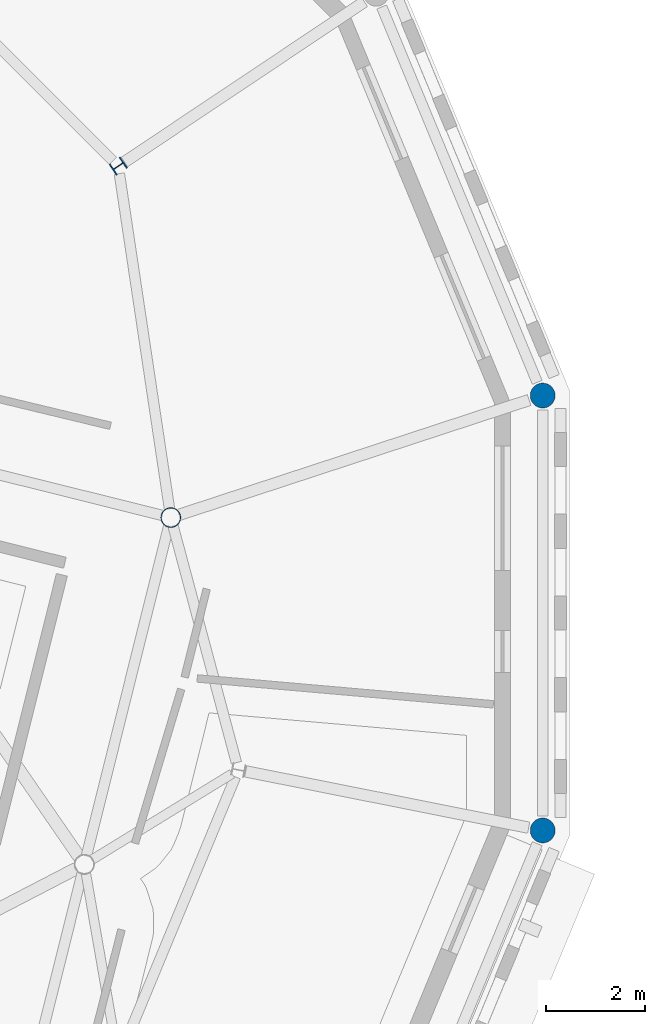
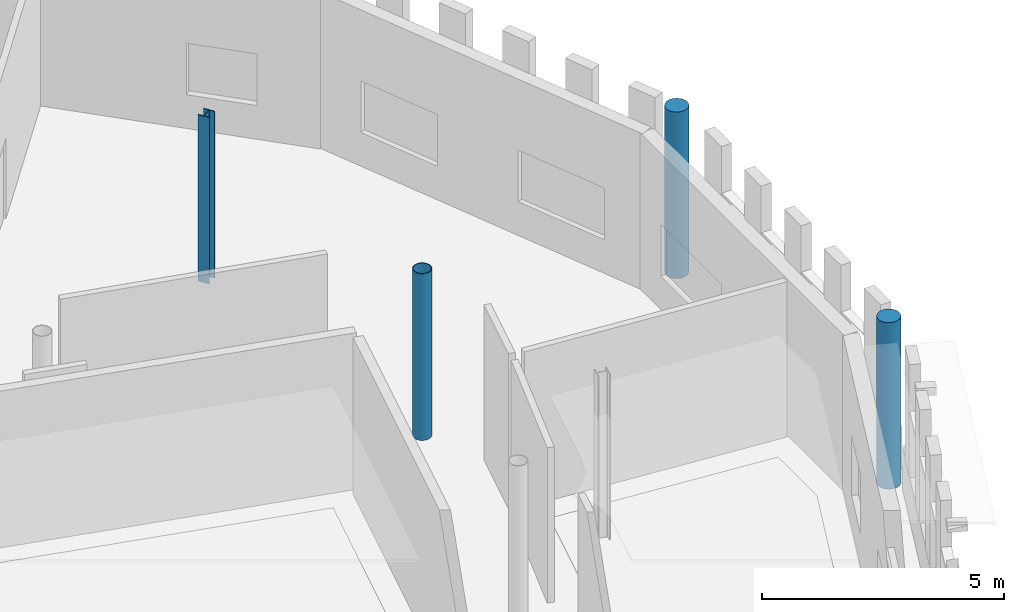
# One storey, part 13 of 90: 4 columns.
"""IFC4 building model written with IfcOpenShell, lengths in metres."""

from ifc_helpers import new_model, si_unit, direction, frame, origin, origin_2d, place, context, subcontext, project, spatial, circle, hollow_circle, i_section, extrude, material, material_profile, profile_set, type_object, element, save


model = new_model("IFC4")

# Units and contexts
model_context = context("Model", 3, precision=1e-05, world=origin(), true_north=direction((0.0, 1.0)))
body_context = subcontext(model_context, "Body", "Model", "MODEL_VIEW")
ifc_project = project(units=[si_unit("LENGTHUNIT", "METRE"), si_unit("AREAUNIT", "SQUARE_METRE"), si_unit("VOLUMEUNIT", "CUBIC_METRE"), si_unit("PLANEANGLEUNIT", "RADIAN"), si_unit("MASSUNIT", "GRAM", prefix="KILO")], contexts=[model_context])

# Site, building, storey
site_placement = place(None, origin())
site = spatial("IfcSite", under=ifc_project, at=site_placement, CompositionType="ELEMENT")
building_placement = place(site_placement, origin())
building = spatial("IfcBuilding", under=site, at=building_placement, Name="Wrenclough Park School", CompositionType="ELEMENT")
storey_placement = place(building_placement, frame((0.0, 0.0, 8.39990234375)))
storey = spatial("IfcBuildingStorey", under=building, at=storey_placement, Name="L02", CompositionType="ELEMENT", Elevation=8.39990234375)

# Columns
ifc_material_1 = material(Name="Structural steel S355", Category="steel")
ifc_material_profile_1 = material_profile(ifc_material_1, hollow_circle(Radius=0.203125, WallThickness=0.01611328125, at=origin_2d()), Name="CHS 406.4x16.0")
ifc_profile_set_1 = profile_set([ifc_material_profile_1], Name="Structural steel S355")
column_type_1 = type_object("IfcColumnType", Name="STR-COL-CHS406", PredefinedType="COLUMN", material=ifc_profile_set_1)
column_1_placement = place(storey_placement, frame((170.028076171875, 28.422607421875, 0.0), z_axis=(0.0, 0.0, 1.0), x_axis=(0.970295726276, -0.2419218956, 0.0)))
element("IfcColumn", 1, at=column_1_placement, inside=storey, type_object=column_type_1, Name="D1 L02 column D1HR-3-2", PredefinedType="COLUMN", context=body_context, shape_type="SweptSolid", body=[
    extrude(hollow_circle(Radius=0.203125, WallThickness=0.01611328125, at=origin_2d()), origin(), (0.0, 0.0, 1.0), 4.2001953125),
])
ifc_material_2 = material(Name="Concrete C40/50", Category="concrete")
ifc_material_profile_2 = material_profile(ifc_material_2, circle(Radius=0.25, at=origin_2d()), Name="RC COL D500")
ifc_profile_set_2 = profile_set([ifc_material_profile_2], Name="Concrete C40/50")
column_type_2 = type_object("IfcColumnType", Name="STR-COL-RCD500", PredefinedType="COLUMN", material=ifc_profile_set_2)
for number, where, z_axis, x_axis, name in (
    (2, (177.5185546875, 30.8798828125, 0.0), (0.0, 0.0, 1.0), (-0.195090322016, 0.980785280403, 0.0), "D1 L02 column D1-OUT-01"),
    (3, (177.5185546875, 22.1201171875, 0.0), (0.0, 0.0, 1.0), (0.195090322016, 0.980785280403, 0.0), "D1 L02 column D1-OUT-16"),
):
    element("IfcColumn", number, at=place(storey_placement, frame(where, z_axis=z_axis, x_axis=x_axis)), inside=storey, type_object=column_type_2, Name=name, PredefinedType="COLUMN", context=body_context, shape_type="SweptSolid", body=[
        extrude(circle(Radius=0.25, at=origin_2d()), origin(), (0.0, 0.0, 1.0), 4.2001953125),
    ])
ifc_material_profile_3 = material_profile(ifc_material_1, i_section(OverallWidth=0.2587890625, OverallDepth=0.2666015625, WebThickness=0.0126953125, FlangeThickness=0.0205078125, FilletRadius=0.0126953125, at=origin_2d()), Name="UKC 254x254x107")
ifc_profile_set_3 = profile_set([ifc_material_profile_3], Name="Structural steel S355")
column_type_3 = type_object("IfcColumnType", Name="STR-COL-UKC254B", PredefinedType="COLUMN", material=ifc_profile_set_3)
column_2_placement = place(storey_placement, frame((168.9697265625, 35.500244140625, 0.0), z_axis=(0.0, 0.0, 1.0), x_axis=(-0.55557023302, 0.831469612303, 0.0)))
element("IfcColumn", 4, at=column_2_placement, inside=storey, type_object=column_type_3, Name="D1 L02 column D1-MID-02", PredefinedType="COLUMN", context=body_context, shape_type="SweptSolid", body=[
    extrude(i_section(OverallWidth=0.2587890625, OverallDepth=0.2666015625, WebThickness=0.0126953125, FlangeThickness=0.0205078125, FilletRadius=0.0126953125, at=origin_2d()), origin(), (0.0, 0.0, 1.0), 4.2001953125),
])

save(model, "model.ifc")
